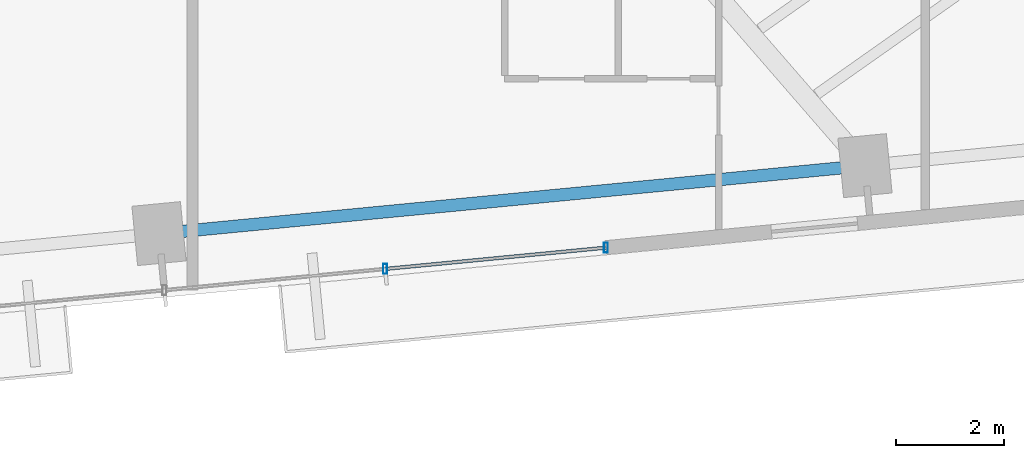
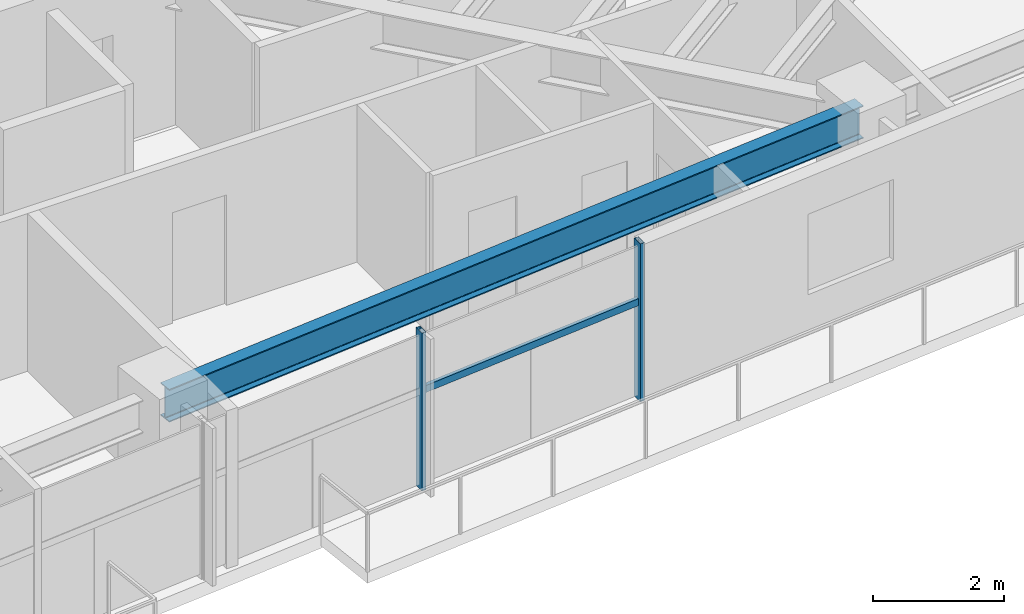
# One storey, part 12 of 27: 3 members, 1 beam, 1 element without a shape of its own.
"""IFC4 building model written with IfcOpenShell, lengths in metres."""

from ifc_helpers import new_model, si_unit, direction, frame, origin, origin_2d, place, context, subcontext, project, spatial, hollow_rectangle, i_section, extrude, source, transform, mapped, material, material_profile, profile_set, type_object, type_shapes, element, aggregate, save


model = new_model("IFC4")

# Units and contexts
model_context = context("Model", 3, precision=1e-05, world=origin(), true_north=direction((0.0, 1.0)))
body_context = subcontext(model_context, "Body", "Model", "MODEL_VIEW")
ifc_project = project(units=[si_unit("LENGTHUNIT", "METRE"), si_unit("AREAUNIT", "SQUARE_METRE"), si_unit("VOLUMEUNIT", "CUBIC_METRE"), si_unit("PLANEANGLEUNIT", "RADIAN"), si_unit("MASSUNIT", "GRAM", prefix="KILO")], contexts=[model_context])

# Site, building, storey
site_placement = place(None, origin())
site = spatial("IfcSite", under=ifc_project, at=site_placement, CompositionType="ELEMENT")
building_placement = place(site_placement, origin())
building = spatial("IfcBuilding", under=site, at=building_placement, Name="Astriad Promenade Condominiums", CompositionType="ELEMENT")
storey_placement = place(building_placement, frame((0.0, 0.0, 97.0)))
storey = spatial("IfcBuildingStorey", under=building, at=storey_placement, Name="L27", CompositionType="ELEMENT", Elevation=97.0)

# Beam
ifc_material_1 = material(Name="Steel ASTM A992 Grade 50", Category="steel")
ifc_material_profile_1 = material_profile(ifc_material_1, i_section(OverallWidth=0.22900390625, OverallDepth=0.612060546875, WebThickness=0.011962890625, FlangeThickness=0.01953125, FilletRadius=0.017822265625, at=origin_2d()), Name="W24X84")
ifc_profile_set_1 = profile_set([ifc_material_profile_1], Name="Steel ASTM A992 Grade 50")
beam_type = type_object("IfcBeamType", Name="STEEL SPANDREL BEAM W24X84", PredefinedType="SPANDREL", material=ifc_profile_set_1)
shared_shape_1 = source(origin(), body_context, "Body", "SweptSolid", [
    extrude(i_section(OverallWidth=0.22900390625, OverallDepth=0.612060546875, WebThickness=0.011962890625, FlangeThickness=0.01953125, FilletRadius=0.017822265625, at=origin_2d()), origin(), (0.0, 0.0, 1.0), 13.02001953125),
])
type_shapes(beam_type, [shared_shape_1])
beam_placement = place(storey_placement, frame((40.085205078125, 7.5244140625, 2.6337890625), z_axis=(0.995395138946, 0.095856754395, 0.0), x_axis=(-0.095856754395, 0.995395138946, 0.0)))
element("IfcBeam", 1, at=beam_placement, inside=storey, type_object=beam_type, Name="Perimeter Spandrel Beam SP-S3-L27", PredefinedType="SPANDREL", context=body_context, shape_type="MappedRepresentation", body=[
    mapped(shared_shape_1, transform((0.0, 0.0, 0.0), scale=1.0)),
])

# Curtain wall, members
ifc_material_2 = material(Name="Anodised aluminium Black Dark Glass Unitised", Category="aluminium")
curtain_wall_type = type_object("IfcCurtainWallType", Name="CW-B2-DARK", PredefinedType="USERDEFINED", material=ifc_material_2)
curtain_wall_placement = place(storey_placement, origin())
curtain_wall = element("IfcCurtainWall", 2, at=curtain_wall_placement, inside=storey, type_object=curtain_wall_type, Name="CW-L27-S", ObjectType="UNITISED_CURTAIN_WALL", PredefinedType="USERDEFINED")
ifc_material_3 = material(Name="Anodised aluminium 6063-T6 Black", Category="aluminium")
ifc_material_profile_2 = material_profile(ifc_material_3, hollow_rectangle(XDim=0.074951171875, YDim=0.18505859375, WallThickness=0.00439453125, at=origin_2d()), Name="ALU-MUL-75X185")
ifc_profile_set_2 = profile_set([ifc_material_profile_2], Name="Anodised aluminium 6063-T6 Black")
member_type_1 = type_object("IfcMemberType", Name="MUL-ALU-MUL-75X185", PredefinedType="MULLION", material=ifc_profile_set_2)
shared_shape_2 = source(origin(), body_context, "Body", "SweptSolid", [
    extrude(hollow_rectangle(XDim=0.074951171875, YDim=0.18505859375, WallThickness=0.00439453125, at=origin_2d()), origin(), (0.0, 0.0, 1.0), 2.93994140625),
])
type_shapes(member_type_1, [shared_shape_2])
member_1_placement = place(storey_placement, frame((48.29833984375, 7.260498046875, 0.0), z_axis=(0.0, 0.0, 1.0), x_axis=(1.0, 0.0, 0.0)))
member_1 = element("IfcMember", 3, at=member_1_placement, type_object=member_type_1, Name="CW-L27-S-MUL-00", PredefinedType="MULLION", context=body_context, shape_type="MappedRepresentation", body=[
    mapped(shared_shape_2, transform((0.0, 0.0, 0.0), scale=1.0)),
])
member_2_placement = place(storey_placement, frame((44.22216796875, 6.867919921875, 0.0), z_axis=(0.0, 0.0, 1.0), x_axis=(1.0, 0.0, 0.0)))
member_2 = element("IfcMember", 4, at=member_2_placement, type_object=member_type_1, Name="CW-L27-S-MUL-01", PredefinedType="MULLION", context=body_context, shape_type="MappedRepresentation", body=[
    mapped(shared_shape_2, transform((0.0, 0.0, 0.0), scale=1.0)),
])
ifc_material_profile_3 = material_profile(ifc_material_3, hollow_rectangle(XDim=0.06494140625, YDim=0.1298828125, WallThickness=0.00390625, at=origin_2d()), Name="ALU-TRN-65X130")
ifc_profile_set_3 = profile_set([ifc_material_profile_3], Name="Anodised aluminium 6063-T6 Black")
member_type_2 = type_object("IfcMemberType", Name="TRN-ALU-TRN-65X130", PredefinedType="USERDEFINED", material=ifc_profile_set_3)
shared_shape_3 = source(origin(), body_context, "Body", "SweptSolid", [
    extrude(hollow_rectangle(XDim=0.06494140625, YDim=0.1298828125, WallThickness=0.00390625, at=origin_2d()), origin(), (0.0, 0.0, 1.0), 4.094970703125),
])
type_shapes(member_type_2, [shared_shape_3])
member_3_placement = place(storey_placement, frame((48.29833984375, 7.260498046875, 1.82275390625), z_axis=(-0.995394161585, -0.09586690296, 0.0), x_axis=(0.09586690296, -0.995394161585, 0.0)))
member_3 = element("IfcMember", 5, at=member_3_placement, type_object=member_type_2, Name="CW-L27-S-TRN-00-0", ObjectType="TRANSOM", PredefinedType="USERDEFINED", context=body_context, shape_type="MappedRepresentation", body=[
    mapped(shared_shape_3, transform((0.0, 0.0, 0.0), scale=1.0)),
])
aggregate(curtain_wall, [member_1, member_2, member_3])

save(model, "model.ifc")
